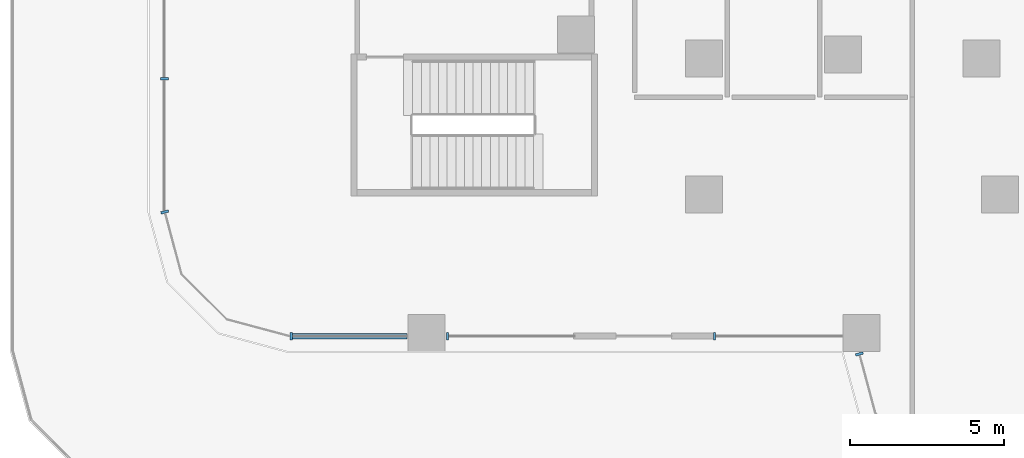
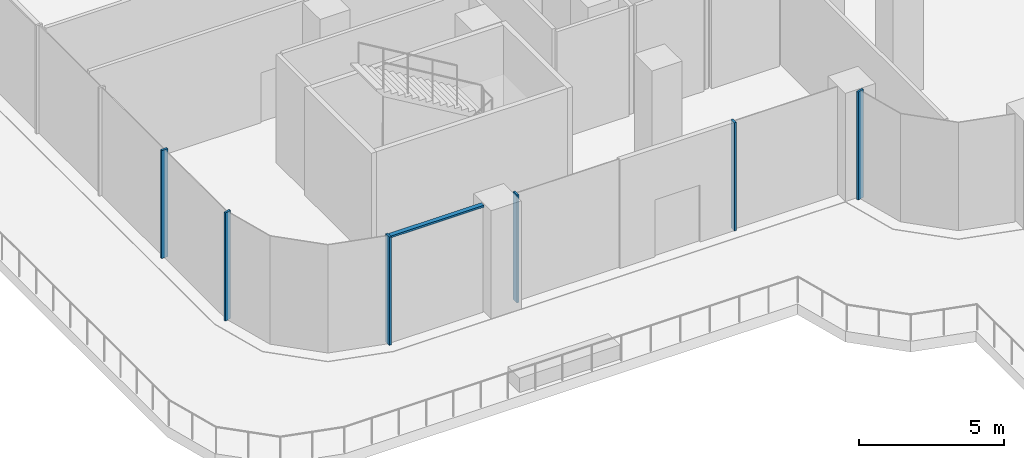
# One storey, part 4 of 27: 7 members, 4 elements without a shape of their own.
"""IFC4 building model written with IfcOpenShell, lengths in metres."""

from ifc_helpers import new_model, si_unit, direction, frame, origin, place, context, subcontext, project, spatial, polyline, outline, extrude, source, transform, mapped, material, type_object, element, aggregate, save


model = new_model("IFC4")

# Units and contexts
model_context = context("Model", 3, precision=1e-05, world=origin(), true_north=direction((0.0, 1.0)))
body_context = subcontext(model_context, "Body", "Model", "MODEL_VIEW")
ifc_project = project(units=[si_unit("LENGTHUNIT", "METRE"), si_unit("AREAUNIT", "SQUARE_METRE"), si_unit("VOLUMEUNIT", "CUBIC_METRE"), si_unit("PLANEANGLEUNIT", "RADIAN"), si_unit("MASSUNIT", "GRAM", prefix="KILO")], contexts=[model_context])

# Site, building, storey
site_placement = place(None, origin())
site = spatial("IfcSite", under=ifc_project, at=site_placement, CompositionType="ELEMENT")
building_placement = place(site_placement, origin())
building = spatial("IfcBuilding", under=site, at=building_placement, Name="Zarbagh Exchange Tower", CompositionType="ELEMENT")
storey_placement = place(building_placement, frame((0.0, 0.0, 17.0)))
storey = spatial("IfcBuildingStorey", under=building, at=storey_placement, Name="L03", CompositionType="ELEMENT", Elevation=17.0)

# Curtain wall, member
ifc_material_1 = material(Name="Anodised aluminium frame and glazing", Category="aluminium")
curtain_wall_type = type_object("IfcCurtainWallType", Name="CWC Podium garden-wall glazing", PredefinedType="NOTDEFINED", material=ifc_material_1)
curtain_wall_1_placement = place(storey_placement, origin())
curtain_wall_1 = element("IfcCurtainWall", 1, at=curtain_wall_1_placement, inside=storey, type_object=curtain_wall_type, Name="CWC182 curtain wall", PredefinedType="NOTDEFINED")
ifc_material_2 = material(Name="Anodised aluminium frame", Category="aluminium")
member_type_1 = type_object("IfcMemberType", Name="TRC Transom, anodised aluminium frame", PredefinedType="USERDEFINED", material=ifc_material_2)
shared_shape_1 = source(origin(), body_context, "Body", "SweptSolid", [
    extrude(outline(polyline([(-0.080078125, -0.090087890625), (0.0, -0.090087890625), (0.0, 0.090087890625), (-0.080078125, 0.090087890625), (-0.080078125, -0.090087890625)])), origin(), (0.0, 0.0, 1.0), 3.714111328125),
])
placement = place(storey_placement, origin())
member_1 = element("IfcMember", 2, at=placement, type_object=member_type_1, Name="CWC182 transom 1.1", ObjectType="TRANSOM", PredefinedType="USERDEFINED", context=body_context, shape_type="MappedRepresentation", body=[
    mapped(shared_shape_1, transform((-38.104248046875, -15.25, 4.550048828125), x_axis=(0.0, 0.0, 1.0), y_axis=(0.0, -1.0, 0.0), z_axis=(1.0, 0.0, 0.0))),
])

curtain_wall_2_placement = place(storey_placement, origin())
curtain_wall_2 = element("IfcCurtainWall", 3, at=curtain_wall_2_placement, inside=storey, type_object=curtain_wall_type, Name="CWC178 curtain wall", PredefinedType="NOTDEFINED")
member_type_2 = type_object("IfcMemberType", Name="MUC Mullion, anodised aluminium frame", PredefinedType="MULLION", material=ifc_material_2)
shared_shape_2 = source(origin(), body_context, "Body", "SweptSolid", [
    extrude(outline(polyline([(0.0, -0.125), (0.080078125, -0.125), (0.080078125, 0.125), (0.0, 0.125), (0.0, -0.125)])), origin(), (0.0, 0.0, 1.0), 4.550048828125),
])
member_2 = element("IfcMember", 4, at=placement, type_object=member_type_2, Name="CWC178 mullion 1.4", PredefinedType="MULLION", context=body_context, shape_type="MappedRepresentation", body=[
    mapped(shared_shape_2, transform((-42.25, -6.860595703125, 0.0), x_axis=(0.0, -1.0, 0.0), y_axis=(1.0, 0.0, 0.0), z_axis=(0.0, 0.0, 1.0))),
])
aggregate(curtain_wall_2, [member_2])

curtain_wall_3_placement = place(storey_placement, origin())
curtain_wall_3 = element("IfcCurtainWall", 5, at=curtain_wall_3_placement, inside=storey, type_object=curtain_wall_type, Name="CWC179 curtain wall", PredefinedType="NOTDEFINED")
member_3 = element("IfcMember", 6, at=placement, type_object=member_type_2, Name="CWC179 mullion 1.1", PredefinedType="MULLION", context=body_context, shape_type="MappedRepresentation", body=[
    mapped(shared_shape_2, transform((-42.25, -11.18408203125, 0.0), x_axis=(0.258824779902, -0.965924289636, 0.0), y_axis=(0.965924289636, 0.258824779902, 0.0), z_axis=(0.0, 0.0, 1.0))),
])
aggregate(curtain_wall_3, [member_3])

# Member
member_4 = element("IfcMember", 7, at=placement, type_object=member_type_2, Name="CWC182 mullion 1.1", PredefinedType="MULLION", context=body_context, shape_type="MappedRepresentation", body=[
    mapped(shared_shape_2, transform((-38.18408203125, -15.25, 0.0), x_axis=(1.0, 0.0, 0.0), y_axis=(0.0, 1.0, 0.0), z_axis=(0.0, 0.0, 1.0))),
])

member_5 = element("IfcMember", 8, at=placement, type_object=member_type_2, Name="CWC182 mullion 2.1", PredefinedType="MULLION", context=body_context, shape_type="MappedRepresentation", body=[
    mapped(shared_shape_2, transform((-33.10986328125, -15.25, 0.0), x_axis=(1.0, 0.0, 0.0), y_axis=(0.0, 1.0, 0.0), z_axis=(0.0, 0.0, 1.0))),
])

member_6 = element("IfcMember", 9, at=placement, type_object=member_type_2, Name="CWC182 mullion 3.1", PredefinedType="MULLION", context=body_context, shape_type="MappedRepresentation", body=[
    mapped(shared_shape_2, transform((-24.449951171875, -15.25, 0.0), x_axis=(1.0, 0.0, 0.0), y_axis=(0.0, 1.0, 0.0), z_axis=(0.0, 0.0, 1.0))),
])

aggregate(curtain_wall_1, [member_4, member_1, member_5, member_6])

# Curtain wall, member
curtain_wall_4_placement = place(storey_placement, origin())
curtain_wall_4 = element("IfcCurtainWall", 10, at=curtain_wall_4_placement, inside=storey, type_object=curtain_wall_type, Name="CWC183 curtain wall", PredefinedType="NOTDEFINED")
member_7 = element("IfcMember", 11, at=placement, type_object=member_type_2, Name="CWC183 mullion 1.1", PredefinedType="MULLION", context=body_context, shape_type="MappedRepresentation", body=[
    mapped(shared_shape_2, transform((-19.7216796875, -15.7900390625, 0.0), x_axis=(0.258824779902, -0.965924289636, 0.0), y_axis=(0.965924289636, 0.258824779902, 0.0), z_axis=(0.0, 0.0, 1.0))),
])
aggregate(curtain_wall_4, [member_7])

save(model, "model.ifc")
